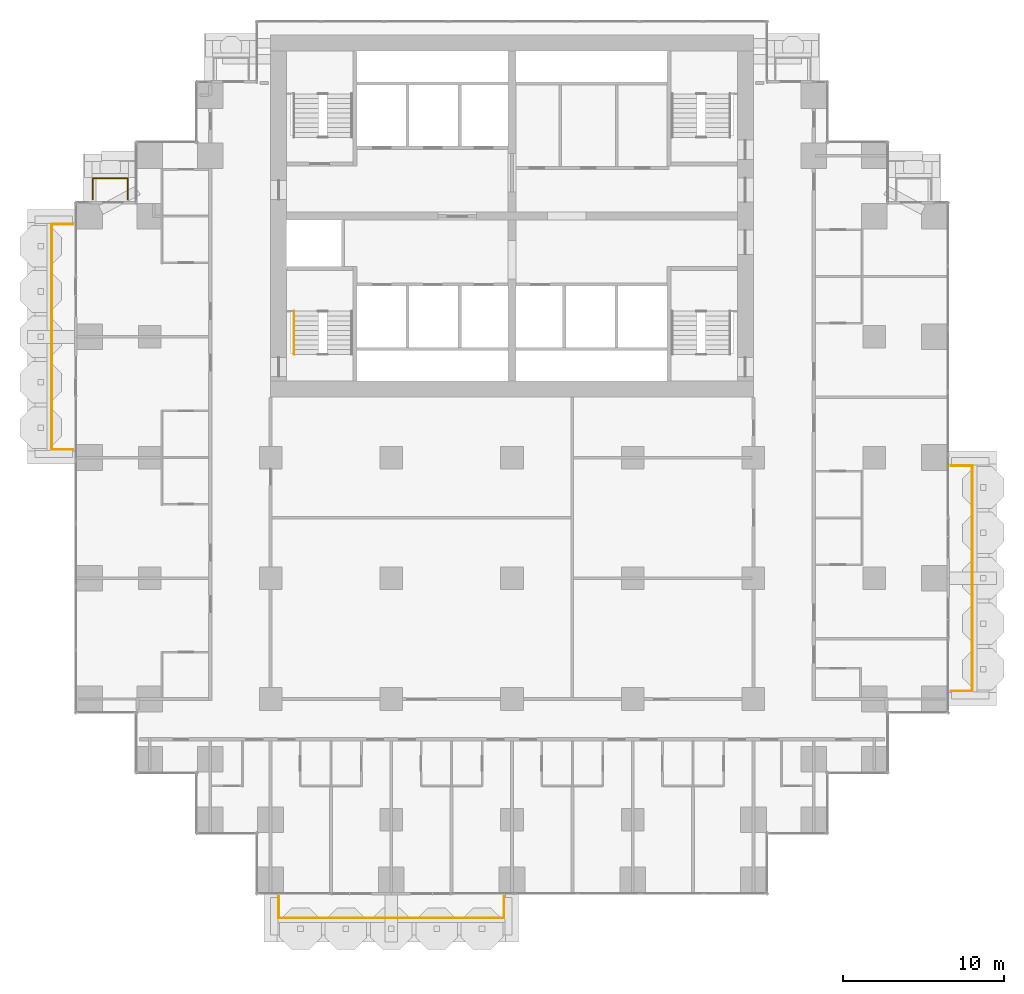
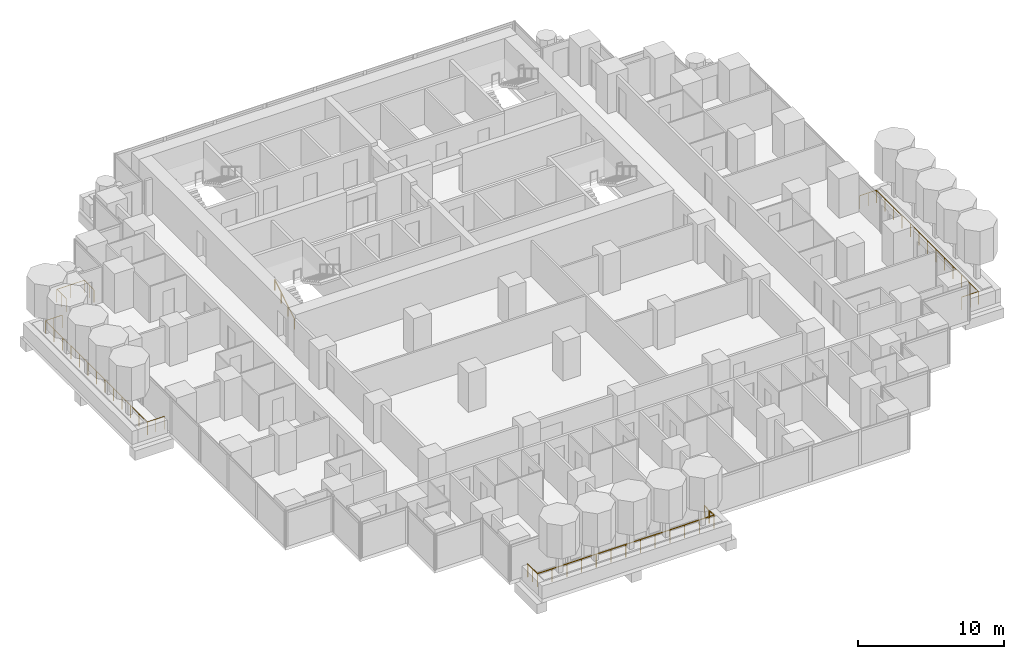
# One storey, part 15 of 17: 5 railings.
"""IFC4 building model written with IfcOpenShell, lengths in metres."""

from ifc_helpers import new_model, si_unit, direction, frame, origin, origin_2d, place, context, subcontext, project, spatial, circle, extrude, material, type_object, element, save


model = new_model("IFC4")

# Units and contexts
model_context = context("Model", 3, precision=1e-05, world=origin(), true_north=direction((0.0, 1.0)))
body_context = subcontext(model_context, "Body", "Model", "MODEL_VIEW")
ifc_project = project(units=[si_unit("LENGTHUNIT", "METRE"), si_unit("AREAUNIT", "SQUARE_METRE"), si_unit("VOLUMEUNIT", "CUBIC_METRE"), si_unit("PLANEANGLEUNIT", "RADIAN"), si_unit("MASSUNIT", "GRAM", prefix="KILO")], contexts=[model_context])

# Site, building, storey
site_placement = place(None, origin())
site = spatial("IfcSite", under=ifc_project, at=site_placement, CompositionType="ELEMENT")
building_placement = place(site_placement, origin())
building = spatial("IfcBuilding", under=site, at=building_placement, Name="Pilkhan Gate Tower", CompositionType="ELEMENT")
storey_placement = place(building_placement, frame((0.0, 0.0, 49.39990234375)))
storey = spatial("IfcBuildingStorey", under=building, at=storey_placement, Name="L09", CompositionType="ELEMENT", Elevation=49.39990234375)

# Railings
ifc_material_1 = material(Name="Pale anodised aluminium posts, laminated glass infill", Category="aluminium")
railing_type_1 = type_object("IfcRailingType", Name="Balcony guard G1", PredefinedType="BALUSTRADE", material=ifc_material_1)
railing_1_placement = place(storey_placement, frame((60.5, 40.22998046875, 0.0)))
element("IfcRailing", 1, at=railing_1_placement, inside=storey, type_object=railing_type_1, Name="Balcony guard L09 S", PredefinedType="BALUSTRADE", context=body_context, shape_type="SweptSolid", body=[
    extrude(circle(Radius=0.02392578125, at=origin_2d()), frame((0.0, 0.0, 1.076171875), z_axis=(0.0, -1.0, 0.0), x_axis=(1.0, 0.0, 0.0)), (0.0, 0.0, 1.0), 1.330078125),
    extrude(circle(Radius=0.02392578125, at=origin_2d()), frame((0.0, -1.330078125, 1.076171875), z_axis=(1.0, 0.0, 0.0), x_axis=(0.0, 1.0, 0.0)), (0.0, 0.0, 1.0), 14.0),
    extrude(circle(Radius=0.02392578125, at=origin_2d()), frame((14.0, -1.330078125, 1.076171875), z_axis=(0.0, 1.0, 0.0), x_axis=(-1.0, 0.0, 0.0)), (0.0, 0.0, 1.0), 1.330078125),
    extrude(circle(Radius=0.02099609375, at=origin_2d()), origin(), (0.0, 0.0, 1.0), 1.052001953125),
    extrude(circle(Radius=0.02099609375, at=origin_2d()), frame((0.0, -0.6650390625, 0.0)), (0.0, 0.0, 1.0), 1.052001953125),
    extrude(circle(Radius=0.02099609375, at=origin_2d()), frame((0.0, -1.330078125, 0.0)), (0.0, 0.0, 1.0), 1.052001953125),
    extrude(circle(Radius=0.02099609375, at=origin_2d()), frame((1.166748046875, -1.330078125, 0.0)), (0.0, 0.0, 1.0), 1.052001953125),
    extrude(circle(Radius=0.02099609375, at=origin_2d()), frame((2.333251953125, -1.330078125, 0.0)), (0.0, 0.0, 1.0), 1.052001953125),
    extrude(circle(Radius=0.02099609375, at=origin_2d()), frame((3.5, -1.330078125, 0.0)), (0.0, 0.0, 1.0), 1.052001953125),
    extrude(circle(Radius=0.02099609375, at=origin_2d()), frame((4.666748046875, -1.330078125, 0.0)), (0.0, 0.0, 1.0), 1.052001953125),
    extrude(circle(Radius=0.02099609375, at=origin_2d()), frame((5.833251953125, -1.330078125, 0.0)), (0.0, 0.0, 1.0), 1.052001953125),
    extrude(circle(Radius=0.02099609375, at=origin_2d()), frame((7.0, -1.330078125, 0.0)), (0.0, 0.0, 1.0), 1.052001953125),
    extrude(circle(Radius=0.02099609375, at=origin_2d()), frame((8.166748046875, -1.330078125, 0.0)), (0.0, 0.0, 1.0), 1.052001953125),
    extrude(circle(Radius=0.02099609375, at=origin_2d()), frame((9.333251953125, -1.330078125, 0.0)), (0.0, 0.0, 1.0), 1.052001953125),
    extrude(circle(Radius=0.02099609375, at=origin_2d()), frame((10.5, -1.330078125, 0.0)), (0.0, 0.0, 1.0), 1.052001953125),
    extrude(circle(Radius=0.02099609375, at=origin_2d()), frame((11.666748046875, -1.330078125, 0.0)), (0.0, 0.0, 1.0), 1.052001953125),
    extrude(circle(Radius=0.02099609375, at=origin_2d()), frame((12.833251953125, -1.330078125, 0.0)), (0.0, 0.0, 1.0), 1.052001953125),
    extrude(circle(Radius=0.02099609375, at=origin_2d()), frame((14.0, -1.330078125, 0.0)), (0.0, 0.0, 1.0), 1.052001953125),
    extrude(circle(Radius=0.02099609375, at=origin_2d()), frame((14.0, -0.6650390625, 0.0)), (0.0, 0.0, 1.0), 1.052001953125),
    extrude(circle(Radius=0.02099609375, at=origin_2d()), frame((14.0, 0.0, 0.0)), (0.0, 0.0, 1.0), 1.052001953125),
])
railing_2_placement = place(storey_placement, frame((102.27001953125, 53.0, 0.0)))
element("IfcRailing", 2, at=railing_2_placement, inside=storey, type_object=railing_type_1, Name="Balcony guard L09 E", PredefinedType="BALUSTRADE", context=body_context, shape_type="SweptSolid", body=[
    extrude(circle(Radius=0.02392578125, at=origin_2d()), frame((0.0, 0.0, 1.076171875), z_axis=(1.0, 0.0, 0.0), x_axis=(0.0, 1.0, 0.0)), (0.0, 0.0, 1.0), 1.330078125),
    extrude(circle(Radius=0.02392578125, at=origin_2d()), frame((1.330078125, 0.0, 1.076171875), z_axis=(0.0, 1.0, 0.0), x_axis=(-1.0, 0.0, 0.0)), (0.0, 0.0, 1.0), 14.0),
    extrude(circle(Radius=0.02392578125, at=origin_2d()), frame((1.330078125, 14.0, 1.076171875), z_axis=(-1.0, 0.0, 0.0), x_axis=(0.0, -1.0, 0.0)), (0.0, 0.0, 1.0), 1.330078125),
    extrude(circle(Radius=0.02099609375, at=origin_2d()), origin(), (0.0, 0.0, 1.0), 1.052001953125),
    extrude(circle(Radius=0.02099609375, at=origin_2d()), frame((0.6650390625, 0.0, 0.0)), (0.0, 0.0, 1.0), 1.052001953125),
    extrude(circle(Radius=0.02099609375, at=origin_2d()), frame((1.330078125, 0.0, 0.0)), (0.0, 0.0, 1.0), 1.052001953125),
    extrude(circle(Radius=0.02099609375, at=origin_2d()), frame((1.330078125, 1.166748046875, 0.0)), (0.0, 0.0, 1.0), 1.052001953125),
    extrude(circle(Radius=0.02099609375, at=origin_2d()), frame((1.330078125, 2.333251953125, 0.0)), (0.0, 0.0, 1.0), 1.052001953125),
    extrude(circle(Radius=0.02099609375, at=origin_2d()), frame((1.330078125, 3.5, 0.0)), (0.0, 0.0, 1.0), 1.052001953125),
    extrude(circle(Radius=0.02099609375, at=origin_2d()), frame((1.330078125, 4.666748046875, 0.0)), (0.0, 0.0, 1.0), 1.052001953125),
    extrude(circle(Radius=0.02099609375, at=origin_2d()), frame((1.330078125, 5.833251953125, 0.0)), (0.0, 0.0, 1.0), 1.052001953125),
    extrude(circle(Radius=0.02099609375, at=origin_2d()), frame((1.330078125, 7.0, 0.0)), (0.0, 0.0, 1.0), 1.052001953125),
    extrude(circle(Radius=0.02099609375, at=origin_2d()), frame((1.330078125, 8.166748046875, 0.0)), (0.0, 0.0, 1.0), 1.052001953125),
    extrude(circle(Radius=0.02099609375, at=origin_2d()), frame((1.330078125, 9.333251953125, 0.0)), (0.0, 0.0, 1.0), 1.052001953125),
    extrude(circle(Radius=0.02099609375, at=origin_2d()), frame((1.330078125, 10.5, 0.0)), (0.0, 0.0, 1.0), 1.052001953125),
    extrude(circle(Radius=0.02099609375, at=origin_2d()), frame((1.330078125, 11.666748046875, 0.0)), (0.0, 0.0, 1.0), 1.052001953125),
    extrude(circle(Radius=0.02099609375, at=origin_2d()), frame((1.330078125, 12.833251953125, 0.0)), (0.0, 0.0, 1.0), 1.052001953125),
    extrude(circle(Radius=0.02099609375, at=origin_2d()), frame((1.330078125, 14.0, 0.0)), (0.0, 0.0, 1.0), 1.052001953125),
    extrude(circle(Radius=0.02099609375, at=origin_2d()), frame((0.6650390625, 14.0, 0.0)), (0.0, 0.0, 1.0), 1.052001953125),
    extrude(circle(Radius=0.02099609375, at=origin_2d()), frame((0.0, 14.0, 0.0)), (0.0, 0.0, 1.0), 1.052001953125),
])
railing_3_placement = place(storey_placement, frame((48.949951171875, 83.5400390625, 0.0)))
element("IfcRailing", 3, at=railing_3_placement, inside=storey, type_object=railing_type_1, Name="Balcony guard L09 N", PredefinedType="BALUSTRADE", context=body_context, shape_type="SweptSolid", body=[
    extrude(circle(Radius=0.02392578125, at=origin_2d()), frame((0.0, 0.0, 1.076171875), z_axis=(0.0, 1.0, 0.0), x_axis=(-1.0, 0.0, 0.0)), (0.0, 0.0, 1.0), 1.31005859375),
    extrude(circle(Radius=0.02392578125, at=origin_2d()), frame((0.0, 1.31005859375, 1.076171875), z_axis=(1.0, 0.0, 0.0), x_axis=(0.0, 1.0, 0.0)), (0.0, 0.0, 1.0), 2.179931640625),
    extrude(circle(Radius=0.02392578125, at=origin_2d()), frame((2.179931640625, 1.31005859375, 1.076171875), z_axis=(0.0, -1.0, 0.0), x_axis=(1.0, 0.0, 0.0)), (0.0, 0.0, 1.0), 1.31005859375),
    extrude(circle(Radius=0.02099609375, at=origin_2d()), origin(), (0.0, 0.0, 1.0), 1.052001953125),
    extrude(circle(Radius=0.02099609375, at=origin_2d()), frame((0.0, 0.655029296875, 0.0)), (0.0, 0.0, 1.0), 1.052001953125),
    extrude(circle(Radius=0.02099609375, at=origin_2d()), frame((0.0, 1.31005859375, 0.0)), (0.0, 0.0, 1.0), 1.052001953125),
    extrude(circle(Radius=0.02099609375, at=origin_2d()), frame((1.08984375, 1.31005859375, 0.0)), (0.0, 0.0, 1.0), 1.052001953125),
    extrude(circle(Radius=0.02099609375, at=origin_2d()), frame((2.179931640625, 1.31005859375, 0.0)), (0.0, 0.0, 1.0), 1.052001953125),
    extrude(circle(Radius=0.02099609375, at=origin_2d()), frame((2.179931640625, 0.655029296875, 0.0)), (0.0, 0.0, 1.0), 1.052001953125),
    extrude(circle(Radius=0.02099609375, at=origin_2d()), frame((2.179931640625, 0.0, 0.0)), (0.0, 0.0, 1.0), 1.052001953125),
])
railing_4_placement = place(storey_placement, frame((47.72998046875, 68.0, 0.0)))
element("IfcRailing", 4, at=railing_4_placement, inside=storey, type_object=railing_type_1, Name="Balcony guard L09 W", PredefinedType="BALUSTRADE", context=body_context, shape_type="SweptSolid", body=[
    extrude(circle(Radius=0.02392578125, at=origin_2d()), frame((0.0, 0.0, 1.076171875), z_axis=(-1.0, 0.0, 0.0), x_axis=(0.0, -1.0, 0.0)), (0.0, 0.0, 1.0), 1.330078125),
    extrude(circle(Radius=0.02392578125, at=origin_2d()), frame((-1.330078125, 0.0, 1.076171875), z_axis=(0.0, 1.0, 0.0), x_axis=(-1.0, 0.0, 0.0)), (0.0, 0.0, 1.0), 14.0),
    extrude(circle(Radius=0.02392578125, at=origin_2d()), frame((-1.330078125, 14.0, 1.076171875), z_axis=(1.0, 0.0, 0.0), x_axis=(0.0, 1.0, 0.0)), (0.0, 0.0, 1.0), 1.330078125),
    extrude(circle(Radius=0.02099609375, at=origin_2d()), origin(), (0.0, 0.0, 1.0), 1.052001953125),
    extrude(circle(Radius=0.02099609375, at=origin_2d()), frame((-0.6650390625, 0.0, 0.0)), (0.0, 0.0, 1.0), 1.052001953125),
    extrude(circle(Radius=0.02099609375, at=origin_2d()), frame((-1.330078125, 0.0, 0.0)), (0.0, 0.0, 1.0), 1.052001953125),
    extrude(circle(Radius=0.02099609375, at=origin_2d()), frame((-1.330078125, 1.166748046875, 0.0)), (0.0, 0.0, 1.0), 1.052001953125),
    extrude(circle(Radius=0.02099609375, at=origin_2d()), frame((-1.330078125, 2.333251953125, 0.0)), (0.0, 0.0, 1.0), 1.052001953125),
    extrude(circle(Radius=0.02099609375, at=origin_2d()), frame((-1.330078125, 3.5, 0.0)), (0.0, 0.0, 1.0), 1.052001953125),
    extrude(circle(Radius=0.02099609375, at=origin_2d()), frame((-1.330078125, 4.666748046875, 0.0)), (0.0, 0.0, 1.0), 1.052001953125),
    extrude(circle(Radius=0.02099609375, at=origin_2d()), frame((-1.330078125, 5.833251953125, 0.0)), (0.0, 0.0, 1.0), 1.052001953125),
    extrude(circle(Radius=0.02099609375, at=origin_2d()), frame((-1.330078125, 7.0, 0.0)), (0.0, 0.0, 1.0), 1.052001953125),
    extrude(circle(Radius=0.02099609375, at=origin_2d()), frame((-1.330078125, 8.166748046875, 0.0)), (0.0, 0.0, 1.0), 1.052001953125),
    extrude(circle(Radius=0.02099609375, at=origin_2d()), frame((-1.330078125, 9.333251953125, 0.0)), (0.0, 0.0, 1.0), 1.052001953125),
    extrude(circle(Radius=0.02099609375, at=origin_2d()), frame((-1.330078125, 10.5, 0.0)), (0.0, 0.0, 1.0), 1.052001953125),
    extrude(circle(Radius=0.02099609375, at=origin_2d()), frame((-1.330078125, 11.666748046875, 0.0)), (0.0, 0.0, 1.0), 1.052001953125),
    extrude(circle(Radius=0.02099609375, at=origin_2d()), frame((-1.330078125, 12.833251953125, 0.0)), (0.0, 0.0, 1.0), 1.052001953125),
    extrude(circle(Radius=0.02099609375, at=origin_2d()), frame((-1.330078125, 14.0, 0.0)), (0.0, 0.0, 1.0), 1.052001953125),
    extrude(circle(Radius=0.02099609375, at=origin_2d()), frame((-0.6650390625, 14.0, 0.0)), (0.0, 0.0, 1.0), 1.052001953125),
    extrude(circle(Radius=0.02099609375, at=origin_2d()), frame((0.0, 14.0, 0.0)), (0.0, 0.0, 1.0), 1.052001953125),
])
ifc_material_2 = material(Name="Black powder-coated steel tube", Category="steel")
railing_type_2 = type_object("IfcRailingType", Name="Stair handrail HR1", PredefinedType="HANDRAIL", material=ifc_material_2)
railing_5_placement = place(storey_placement, frame((61.449951171875, 73.89990234375, 0.0)))
element("IfcRailing", 5, at=railing_5_placement, inside=storey, type_object=railing_type_2, Name="Stair ST2 handrail L09", PredefinedType="HANDRAIL", context=body_context, shape_type="SweptSolid", body=[
    extrude(circle(Radius=0.02392578125, at=origin_2d()), frame((0.0, 0.0, 0.8759765625), z_axis=(0.0, 0.853278019476, 0.521456250781), x_axis=(-1.0, 0.0, 0.0)), (0.0, 0.0, 1.0), 3.16455078125),
    extrude(circle(Radius=0.02099609375, at=origin_2d()), origin(), (0.0, 0.0, 1.0), 0.851806640625),
    extrude(circle(Radius=0.02099609375, at=origin_2d()), frame((0.0, 0.900146484375, 0.550048828125)), (0.0, 0.0, 1.0), 0.851806640625),
    extrude(circle(Radius=0.02099609375, at=origin_2d()), frame((0.0, 1.800048828125, 1.10009765625)), (0.0, 0.0, 1.0), 0.851806640625),
    extrude(circle(Radius=0.02099609375, at=origin_2d()), frame((0.0, 2.7001953125, 1.650146484375)), (0.0, 0.0, 1.0), 0.851806640625),
])

save(model, "model.ifc")
